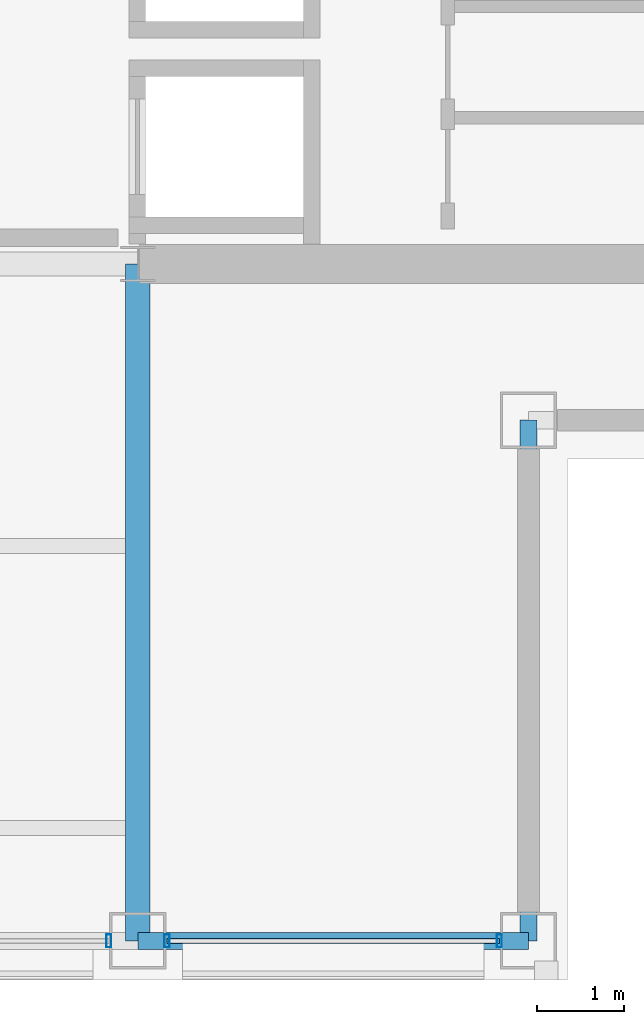
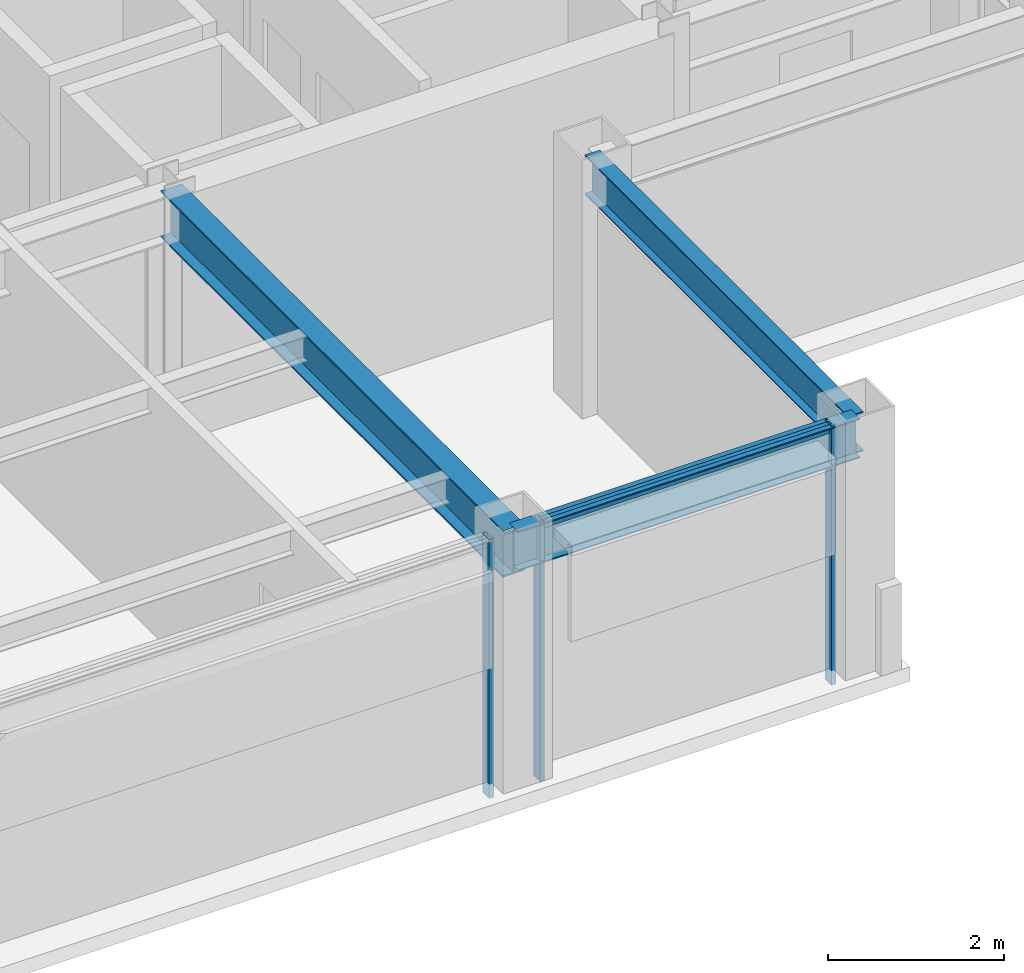
# One storey, part 5 of 24: 4 members, 3 beams, 2 elements without a shape of their own.
"""IFC4 building model written with IfcOpenShell, lengths in metres."""

from ifc_helpers import new_model, si_unit, direction, frame, origin, origin_2d, place, context, subcontext, project, spatial, hollow_rectangle, i_section, extrude, material, layer, layer_set, material_profile, profile_set, type_object, element, aggregate, save


model = new_model("IFC4")

# Units and contexts
model_context = context("Model", 3, precision=1e-05, world=origin(), true_north=direction((0.0, 1.0)))
body_context = subcontext(model_context, "Body", "Model", "MODEL_VIEW")
ifc_project = project(units=[si_unit("LENGTHUNIT", "METRE"), si_unit("AREAUNIT", "SQUARE_METRE"), si_unit("VOLUMEUNIT", "CUBIC_METRE"), si_unit("PLANEANGLEUNIT", "RADIAN"), si_unit("MASSUNIT", "GRAM", prefix="KILO")], contexts=[model_context])

# Site, building, storey
site_placement = place(None, origin())
site = spatial("IfcSite", under=ifc_project, at=site_placement, CompositionType="ELEMENT")
building_placement = place(site_placement, origin())
building = spatial("IfcBuilding", under=site, at=building_placement, Name="Brelmoor Portico Tower", CompositionType="ELEMENT")
storey_placement = place(building_placement, frame((0.0, 0.0, 229.199951171875)))
storey = spatial("IfcBuildingStorey", under=building, at=storey_placement, Name="L60", CompositionType="ELEMENT", Elevation=229.199951171875)

# Beams
ifc_material_1 = material(Name="Steel Q355B", Category="steel")
ifc_material_profile_1 = material_profile(ifc_material_1, i_section(OverallWidth=0.280029296875, OverallDepth=0.64990234375, WebThickness=0.012939453125, FlangeThickness=0.02197265625, at=origin_2d()), Name="HN 650x280x13x22")
ifc_profile_set_1 = profile_set([ifc_material_profile_1], Name="Steel Q355B")
beam_type_1 = type_object("IfcBeamType", Name="BM-PG-650", PredefinedType="BEAM", material=ifc_profile_set_1)
beam_1_placement = place(storey_placement, frame((8.050048828125, -17.550048828125, 3.074951171875), z_axis=(0.0, 1.0, 0.0), x_axis=(-1.0, 0.0, 0.0)))
element("IfcBeam", 1, at=beam_1_placement, inside=storey, type_object=beam_type_1, Name="L60 Primary Floor Girder PG-06", PredefinedType="BEAM", context=body_context, shape_type="SweptSolid", body=[
    extrude(i_section(OverallWidth=0.280029296875, OverallDepth=0.64990234375, WebThickness=0.012939453125, FlangeThickness=0.02197265625, at=origin_2d()), origin(), (0.0, 0.0, 1.0), 7.800048828125),
])
ifc_material_profile_2 = material_profile(ifc_material_1, i_section(OverallWidth=0.199951171875, OverallDepth=0.550048828125, WebThickness=0.010009765625, FlangeThickness=0.01611328125, at=origin_2d()), Name="HN 550x200x10x16")
ifc_profile_set_2 = profile_set([ifc_material_profile_2], Name="Steel Q355B")
beam_type_2 = type_object("IfcBeamType", Name="BM-SP-550", PredefinedType="SPANDREL", material=ifc_profile_set_2)
beam_2_placement = place(storey_placement, frame((8.050048828125, -17.550048828125, 3.125), z_axis=(1.0, 0.0, 0.0), x_axis=(0.0, 1.0, 0.0)))
element("IfcBeam", 2, at=beam_2_placement, inside=storey, type_object=beam_type_2, Name="L60 Perimeter Spandrel Beam SP-03", PredefinedType="SPANDREL", context=body_context, shape_type="SweptSolid", body=[
    extrude(i_section(OverallWidth=0.199951171875, OverallDepth=0.550048828125, WebThickness=0.010009765625, FlangeThickness=0.01611328125, at=origin_2d()), origin(), (0.0, 0.0, 1.0), 4.5),
])
beam_3_placement = place(storey_placement, frame((12.550048828125, -17.550048828125, 3.125), z_axis=(0.0, 1.0, 0.0), x_axis=(-1.0, 0.0, 0.0)))
element("IfcBeam", 3, at=beam_3_placement, inside=storey, type_object=beam_type_2, Name="L60 Perimeter Spandrel Beam SP-16", PredefinedType="SPANDREL", context=body_context, shape_type="SweptSolid", body=[
    extrude(i_section(OverallWidth=0.199951171875, OverallDepth=0.550048828125, WebThickness=0.010009765625, FlangeThickness=0.01611328125, at=origin_2d()), origin(), (0.0, 0.0, 1.0), 6.0),
])

# Curtain wall, member
ifc_material_2 = material(Name="Anodised Aluminium Alloy 6063-T6", Category="aluminium")
ifc_layer = layer(ifc_material_2, 0.179931640625)
ifc_layer_set = layer_set([ifc_layer], Name="Anodised Aluminium Alloy 6063-T6")
curtain_wall_type = type_object("IfcCurtainWallType", Name="CW-TOWER-Z4-XB", PredefinedType="NOTDEFINED", material=ifc_layer_set)
curtain_wall_1_placement = place(storey_placement, origin())
curtain_wall_1 = element("IfcCurtainWall", 4, at=curtain_wall_1_placement, inside=storey, type_object=curtain_wall_type, Name="L60 Curtain Wall CW-L60-01-2", PredefinedType="NOTDEFINED")
ifc_material_profile_3 = material_profile(ifc_material_2, hollow_rectangle(XDim=0.06005859375, YDim=0.14990234375, WallThickness=0.00390625, at=origin_2d()), Name="ALU MULLION 60x150")
ifc_profile_set_3 = profile_set([ifc_material_profile_3], Name="Anodised Aluminium Alloy 6063-T6")
member_type_1 = type_object("IfcMemberType", Name="MB-CW-MULL-150", PredefinedType="MULLION", material=ifc_profile_set_3)
member_1_placement = place(storey_placement, frame((7.715087890625, -17.550048828125, -0.199951171875), z_axis=(0.0, 0.0, 1.0), x_axis=(1.0, 0.0, 0.0)))
member_1 = element("IfcMember", 5, at=member_1_placement, type_object=member_type_1, Name="CW-L60-01-2 Mullion 01", PredefinedType="MULLION", context=body_context, shape_type="SweptSolid", body=[
    extrude(hollow_rectangle(XDim=0.06005859375, YDim=0.14990234375, WallThickness=0.00390625, at=origin_2d()), origin(), (0.0, 0.0, 1.0), 3.60009765625),
])
aggregate(curtain_wall_1, [member_1])

# Curtain wall, members
curtain_wall_2_placement = place(storey_placement, origin())
curtain_wall_2 = element("IfcCurtainWall", 6, at=curtain_wall_2_placement, inside=storey, type_object=curtain_wall_type, Name="L60 Curtain Wall CW-L60-01-3", PredefinedType="NOTDEFINED")
member_2_placement = place(storey_placement, frame((8.385009765625, -17.550048828125, -0.199951171875), z_axis=(0.0, 0.0, 1.0), x_axis=(1.0, 0.0, 0.0)))
member_2 = element("IfcMember", 7, at=member_2_placement, type_object=member_type_1, Name="CW-L60-01-3 Mullion 00", PredefinedType="MULLION", context=body_context, shape_type="SweptSolid", body=[
    extrude(hollow_rectangle(XDim=0.06005859375, YDim=0.14990234375, WallThickness=0.00390625, at=origin_2d()), origin(), (0.0, 0.0, 1.0), 3.60009765625),
])
member_3_placement = place(storey_placement, frame((12.215087890625, -17.550048828125, -0.199951171875), z_axis=(0.0, 0.0, 1.0), x_axis=(1.0, 0.0, 0.0)))
member_3 = element("IfcMember", 8, at=member_3_placement, type_object=member_type_1, Name="CW-L60-01-3 Mullion 01", PredefinedType="MULLION", context=body_context, shape_type="SweptSolid", body=[
    extrude(hollow_rectangle(XDim=0.06005859375, YDim=0.14990234375, WallThickness=0.00390625, at=origin_2d()), origin(), (0.0, 0.0, 1.0), 3.60009765625),
])
ifc_material_profile_4 = material_profile(ifc_material_2, hollow_rectangle(XDim=0.06005859375, YDim=0.125, WallThickness=0.00341796875, at=origin_2d()), Name="ALU TRANSOM 60x125")
ifc_profile_set_4 = profile_set([ifc_material_profile_4], Name="Anodised Aluminium Alloy 6063-T6")
member_type_2 = type_object("IfcMemberType", Name="MB-CW-TRAN-125", PredefinedType="USERDEFINED", material=ifc_profile_set_4)
member_4_placement = place(storey_placement, frame((8.385009765625, -17.550048828125, 3.337646484375), z_axis=(1.0, 0.0, 0.0), x_axis=(0.0, 1.0, 0.0)))
member_4 = element("IfcMember", 9, at=member_4_placement, type_object=member_type_2, Name="CW-L60-01-3 Transom 1-00", ObjectType="TRANSOM", PredefinedType="USERDEFINED", context=body_context, shape_type="SweptSolid", body=[
    extrude(hollow_rectangle(XDim=0.06005859375, YDim=0.125, WallThickness=0.00341796875, at=origin_2d()), origin(), (0.0, 0.0, 1.0), 3.830078125),
])
aggregate(curtain_wall_2, [member_2, member_3, member_4])

save(model, "model.ifc")
